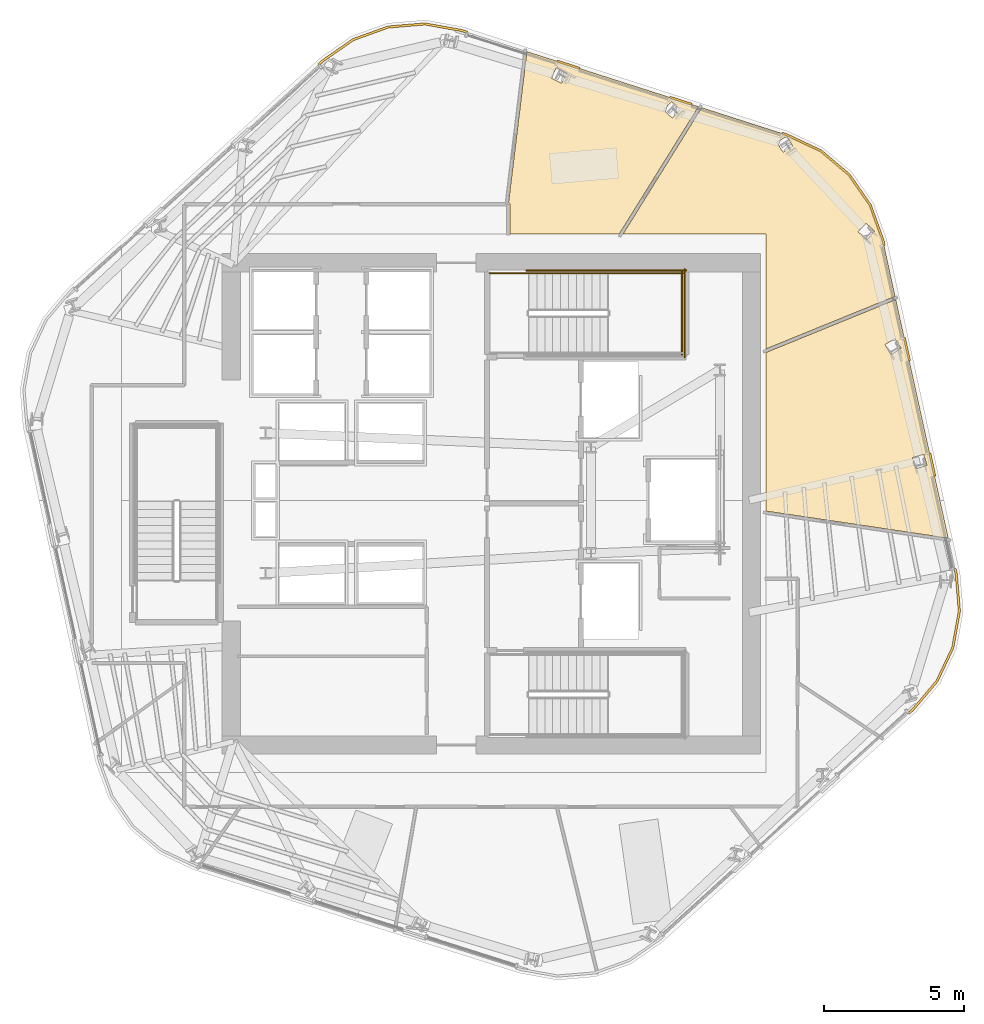
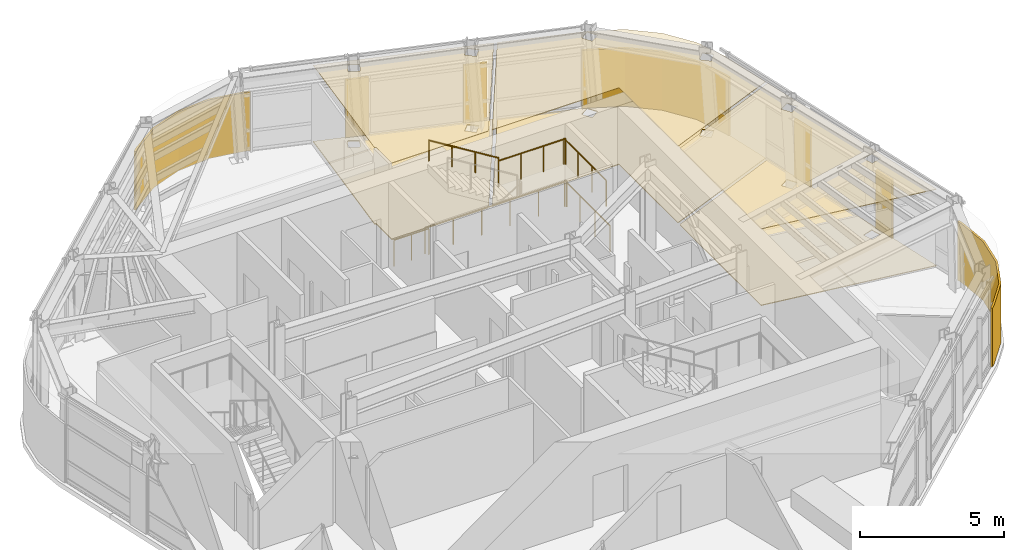
# One storey, part 14 of 15: 13 coverings, 6 railings.
"""IFC4 building model written with IfcOpenShell, lengths in metres."""

import ifcopenshell
import ifcopenshell.guid

model = None  # the IFC model being written
_history = None  # IfcOwnerHistory: only IFC2X3 demands one
_inside = {}  # id of a spatial element -> (the spatial element, [elements in it])
_under = {}  # id of a project, library or spatial element -> (it, [spatial elements below it])
_declared = {}  # id of a project -> (the project, [libraries it declares])
_typed = {}  # id of a type object -> (the type object, [elements of that type])
_made_of = {}  # id of a material, layer set ... -> (it, [elements and type objects made of it])


def new_model(schema):
    """Start an empty IFC model of exactly this schema.

    Asked for "IFC4X3", IfcOpenShell would pick the latest addendum, in which some entities
    have other attributes; the version numbers below select the first issue.
    IFC2X3 requires an IfcOwnerHistory on every rooted entity: one is made here for all.
    """
    global model, _history
    if schema == "IFC4X3":
        model = ifcopenshell.file(schema_version=(4, 3, 0, 0))
    else:
        model = ifcopenshell.file(schema=schema)
    _inside.clear()
    _under.clear()
    _declared.clear()
    _typed.clear()
    _made_of.clear()
    _history = None
    if model.schema == "IFC2X3":
        org = make("IfcOrganization", Name="unknown")
        user = make(
            "IfcPersonAndOrganization",
            ThePerson=make("IfcPerson", FamilyName="unknown"),
            TheOrganization=org,
        )
        app = make(
            "IfcApplication",
            ApplicationDeveloper=org,
            Version="unknown",
            ApplicationFullName="unknown",
            ApplicationIdentifier="unknown",
        )
        _history = make(
            "IfcOwnerHistory",
            OwningUser=user,
            OwningApplication=app,
            ChangeAction="ADDED",
            CreationDate=0,
        )
    return model


def make(cls, **values):
    """One entity of the class cls with the attributes given. An attribute that is None is left unset."""
    return model.create_entity(
        cls, **{name: value for name, value in values.items() if value is not None}
    )


def rooted(cls, **values):
    """An entity with a GlobalId (a new one), such as an element, a storey or a relation."""
    return make(cls, GlobalId=ifcopenshell.guid.new(), OwnerHistory=_history, **values)


def si_unit(unit_type, name, prefix=None):
    """IfcSIUnit, for example si_unit("LENGTHUNIT", "METRE", prefix="MILLI")."""
    return make("IfcSIUnit", UnitType=unit_type, Prefix=prefix, Name=name)


def assignment(units):
    """IfcUnitAssignment: the units of a project."""
    return None if units is None else make("IfcUnitAssignment", Units=units)


def point(xyz):
    """IfcCartesianPoint."""
    return None if xyz is None else make("IfcCartesianPoint", Coordinates=xyz)


def direction(xyz):
    """IfcDirection."""
    return None if xyz is None else make("IfcDirection", DirectionRatios=xyz)


def frame(location, z_axis=None, x_axis=None):
    """IfcAxis2Placement3D, a coordinate frame: its origin and axes. An axis left out is left unset."""
    return make(
        "IfcAxis2Placement3D",
        Location=point(location),
        Axis=direction(z_axis),
        RefDirection=direction(x_axis),
    )


def frame_2d(location, x_axis=None):
    """IfcAxis2Placement2D, a coordinate frame in the plane: its origin and x axis."""
    return make(
        "IfcAxis2Placement2D", Location=point(location), RefDirection=direction(x_axis)
    )


def origin():
    """The frame at (0, 0, 0) with its axes left unset."""
    return frame((0.0, 0.0, 0.0))


def origin_2d():
    """The frame at (0, 0) in the plane with its x axis left unset."""
    return frame_2d((0.0, 0.0))


def place(relative_to, where):
    """IfcLocalPlacement: puts the frame where relative to a parent placement (None: the world)."""
    return make(
        "IfcLocalPlacement", PlacementRelTo=relative_to, RelativePlacement=where
    )


def context(
    kind, dimensions, precision=None, world=None, true_north=None, identifier=None
):
    """IfcGeometricRepresentationContext, for example the 3D "Model" context."""
    return make(
        "IfcGeometricRepresentationContext",
        ContextIdentifier=identifier,
        ContextType=kind,
        CoordinateSpaceDimension=dimensions,
        Precision=precision,
        WorldCoordinateSystem=world,
        TrueNorth=true_north,
    )


def subcontext(parent, identifier, kind, view, scale=None):
    """IfcGeometricRepresentationSubContext, for example "Body" below "Model"."""
    return make(
        "IfcGeometricRepresentationSubContext",
        ContextIdentifier=identifier,
        ContextType=kind,
        ParentContext=parent,
        TargetScale=scale,
        TargetView=view,
    )


def project(units=None, contexts=None):
    """IfcProject with its units and contexts."""
    return rooted(
        "IfcProject",
        Name="project",
        RepresentationContexts=contexts,
        UnitsInContext=assignment(units),
    )


def spatial(cls, under=None, at=None, **own):
    """A site, building, storey or space (cls), placed at a placement, below another one or the project."""
    s = rooted(cls, ObjectPlacement=at, **own)
    if under is not None:
        _under.setdefault(under.id(), (under, []))[1].append(s)
    return s


def polyline(points):
    """IfcPolyline through the points."""
    return make("IfcPolyline", Points=[point(p) for p in points])


def profile(cls, at=None, kind="AREA", **sizes):
    """A parametric profile (cls). Its sizes go by their IFC names, for example OverallWidth=200.0."""
    return make(cls, ProfileType=kind, Position=at, **sizes)


def circle(**sizes):
    """IfcCircleProfileDef."""
    return profile("IfcCircleProfileDef", **sizes)


def outline(outer, holes=None, kind="AREA"):
    """IfcArbitraryClosedProfileDef: a profile drawn as a closed curve; with holes, ...WithVoids."""
    if holes is None:
        return make("IfcArbitraryClosedProfileDef", ProfileType=kind, OuterCurve=outer)
    return make(
        "IfcArbitraryProfileDefWithVoids",
        ProfileType=kind,
        OuterCurve=outer,
        InnerCurves=holes,
    )


def extrude(swept, where, along, depth):
    """IfcExtrudedAreaSolid: the profile swept, set in the frame where, extruded along a direction by depth."""
    return make(
        "IfcExtrudedAreaSolid",
        SweptArea=swept,
        Position=where,
        ExtrudedDirection=direction(along),
        Depth=depth,
    )


def shape(context_of_items, identifier, shape_type, items):
    """IfcShapeRepresentation: the items that make up one representation, for example the "Body"."""
    return make(
        "IfcShapeRepresentation",
        ContextOfItems=context_of_items,
        RepresentationIdentifier=identifier,
        RepresentationType=shape_type,
        Items=items,
    )


def material(Name=None, Category=None):
    """IfcMaterial."""
    return make("IfcMaterial", Name=Name, Category=Category)


def layer(
    of_material, thickness, ventilated=None, Name=None, Category=None, Priority=None
):
    """IfcMaterialLayer: one layer of a wall or slab, of a material (None: an air gap)."""
    return make(
        "IfcMaterialLayer",
        Material=of_material,
        LayerThickness=thickness,
        IsVentilated=ventilated,
        Name=Name,
        Category=Category,
        Priority=Priority,
    )


def layer_set(layers, Name=None):
    """IfcMaterialLayerSet."""
    return make("IfcMaterialLayerSet", MaterialLayers=layers, LayerSetName=Name)


def made_of(thing, what):
    """Note that an element or type object is made of a material, layer set ...; save() writes the relation."""
    if what is not None:
        _made_of.setdefault(what.id(), (what, []))[1].append(thing)
    return thing


def type_object(cls, material=None, **own):
    """A type object (cls), such as IfcWallType, which elements share."""
    return made_of(rooted(cls, **own), material)


def element(
    cls,
    number,
    at=None,
    inside=None,
    cuts=None,
    type_object=None,
    material=None,
    context=None,
    identifier="Body",
    shape_type=None,
    held_by="IfcProductDefinitionShape",
    body=None,
    shapes=None,
    **own,
):
    """One element of the class cls, such as IfcWall. Its Tag is "e" and its number.

    at: its placement. inside: the storey or other place that contains it. cuts: it is an
    opening in that element (IfcRelVoidsElement). A single representation is given by context,
    identifier, shape_type and body (its items); several are given by shapes. held_by: the class
    of the entity that holds the representations. save() writes the other relations.
    """
    e = rooted(cls, Tag="e%d" % number, ObjectPlacement=at, **own)
    if body is not None:
        shapes = [shape(context, identifier, shape_type, body)]
    if shapes is not None:
        e.Representation = make(held_by, Representations=shapes)
    if inside is not None:
        _inside.setdefault(inside.id(), (inside, []))[1].append(e)
    if cuts is not None:
        rooted(
            "IfcRelVoidsElement", RelatingBuildingElement=cuts, RelatedOpeningElement=e
        )
    if type_object is not None:
        _typed.setdefault(type_object.id(), (type_object, []))[1].append(e)
    return made_of(e, material)


def aggregate(whole, parts):
    """IfcRelAggregates: a whole, such as a stair, and the parts it consists of."""
    return rooted("IfcRelAggregates", RelatingObject=whole, RelatedObjects=parts)


def save(model, path):
    """Write the relations noted so far, then the file.

    IfcRelAggregates (storeys below a building ...), IfcRelContainedInSpatialStructure (elements
    in a storey), IfcRelDefinesByType, IfcRelAssociatesMaterial and IfcRelDeclares: one each for
    every whole, place, type object, material and project.
    """
    for whole, parts in _under.values():
        aggregate(whole, parts)
    for where, things in _inside.values():
        rooted(
            "IfcRelContainedInSpatialStructure",
            RelatedElements=things,
            RelatingStructure=where,
        )
    for kind, things in _typed.values():
        rooted("IfcRelDefinesByType", RelatedObjects=things, RelatingType=kind)
    for what, things in _made_of.values():
        rooted("IfcRelAssociatesMaterial", RelatedObjects=things, RelatingMaterial=what)
    for by, libraries in _declared.values():
        rooted("IfcRelDeclares", RelatingContext=by, RelatedDefinitions=libraries)
    model.write(path)


model = new_model("IFC4")

# Units and contexts
model_context = context("Model", 3, precision=1e-05, world=origin(), true_north=direction((0.0, 1.0)))
body_context = subcontext(model_context, "Body", "Model", "MODEL_VIEW")
ifc_project = project(units=[si_unit("LENGTHUNIT", "METRE"), si_unit("AREAUNIT", "SQUARE_METRE"), si_unit("VOLUMEUNIT", "CUBIC_METRE"), si_unit("PLANEANGLEUNIT", "RADIAN"), si_unit("MASSUNIT", "GRAM", prefix="KILO")], contexts=[model_context])

# Site, building, storey
site_placement = place(None, origin())
site = spatial("IfcSite", under=ifc_project, at=site_placement, CompositionType="ELEMENT")
building_placement = place(site_placement, origin())
building = spatial("IfcBuilding", under=site, at=building_placement, Name="Valkerne Bourse Tower", CompositionType="ELEMENT")
storey_placement = place(building_placement, frame((0.0, 0.0, 205.60009765625)))
storey = spatial("IfcBuildingStorey", under=building, at=storey_placement, Name="L52", CompositionType="ELEMENT", Elevation=205.60009765625)

# Coverings
ifc_material_1 = material(Name="Mineral Fiber Acoustic Ceiling Tile", Category="acoustic")
ifc_layer_1 = layer(ifc_material_1, 0.02490234375)
ifc_layer_set_1 = layer_set([ifc_layer_1], Name="Mineral Fiber Acoustic Ceiling Tile")
covering_type_1 = type_object("IfcCoveringType", Name="COV-CEIL-ACT", PredefinedType="CEILING", material=ifc_layer_set_1)
covering_1_placement = place(storey_placement, frame((0.0, 0.0, 3.25)))
element("IfcCovering", 1, at=covering_1_placement, inside=storey, type_object=covering_type_1, Name="L52 Suspended Ceiling 09", PredefinedType="CEILING", context=body_context, shape_type="SweptSolid", body=[
    extrude(outline(polyline([(47.468994140625, 37.5634765625), (47.45166015625, 37.606201171875), (47.4150390625, 37.626220703125), (48.067626953125, 43.006103515625), (54.18798828125, 41.04150390625), (51.3603515625, 36.5), (47.468994140625, 36.5), (47.468994140625, 37.5634765625)]), holes=[polyline([(53.22900390625, 41.218505859375), (53.226806640625, 41.21923828125), (52.947021484375, 40.917236328125), (53.25, 40.6357421875), (53.252197265625, 40.634765625), (53.531982421875, 40.93701171875), (53.22900390625, 41.218505859375)]), polyline([(49.48876953125, 42.242431640625), (49.12060546875, 42.430908203125), (49.118408203125, 42.43115234375), (48.93115234375, 42.064208984375), (49.299560546875, 41.8759765625), (49.3017578125, 41.87548828125), (49.48876953125, 42.242431640625)])]), origin(), (0.0, 0.0, 1.0), 0.02490234375),
])
covering_2_placement = place(storey_placement, frame((0.0, 0.0, 3.25)))
element("IfcCovering", 2, at=covering_2_placement, inside=storey, type_object=covering_type_1, Name="L52 Suspended Ceiling 10", PredefinedType="CEILING", context=body_context, shape_type="SweptSolid", body=[
    extrude(outline(polyline([(61.227294921875, 34.15966796875), (63.096923828125, 25.651611328125), (56.60009765625, 26.615966796875), (56.60009765625, 32.274169921875), (61.227294921875, 34.15966796875)]), holes=[polyline([(62.339599609375, 28.25244140625), (62.218017578125, 28.645263671875), (61.822265625, 28.523193359375), (61.822265625, 28.52099609375), (61.94384765625, 28.128173828125), (62.339599609375, 28.250244140625), (62.339599609375, 28.25244140625)]), polyline([(61.41357421875, 32.4306640625), (61.18994140625, 32.775634765625), (60.842041015625, 32.55029296875), (60.8427734375, 32.54833984375), (61.06640625, 32.203369140625), (61.414306640625, 32.428466796875), (61.41357421875, 32.4306640625)])]), origin(), (0.0, 0.0, 1.0), 0.02490234375),
])
covering_3_placement = place(storey_placement, frame((0.0, 0.0, 3.25)))
element("IfcCovering", 3, at=covering_3_placement, inside=storey, type_object=covering_type_1, Name="L52 Suspended Ceiling 11", PredefinedType="CEILING", context=body_context, shape_type="SweptSolid", body=[
    extrude(outline(polyline([(59.558837890625, 38.609619140625), (60.31201171875, 37.526123046875), (60.76220703125, 36.275390625), (61.201416015625, 34.276611328125), (56.60009765625, 32.401611328125), (56.60009765625, 36.5), (51.49951171875, 36.5), (54.303955078125, 41.00439453125), (57.348388671875, 40.02734375), (58.551025390625, 39.46142578125), (59.558837890625, 38.609619140625)]), holes=[polyline([(60.46630859375, 36.607666015625), (60.16259765625, 36.884521484375), (59.883056640625, 36.57861328125), (59.884521484375, 36.57666015625), (60.188232421875, 36.2998046875), (60.4677734375, 36.605712890625), (60.46630859375, 36.607666015625)]), polyline([(57.332763671875, 39.9853515625), (57.330810546875, 39.98681640625), (56.983642578125, 39.765380859375), (57.205322265625, 39.41650390625), (57.207275390625, 39.414794921875), (57.554443359375, 39.63623046875), (57.332763671875, 39.9853515625)])]), origin(), (0.0, 0.0, 1.0), 0.02490234375),
])
ifc_material_2 = material(Name="Bronze Anodised Aluminium AA 6063-T6", Category="aluminium")
ifc_layer_2 = layer(ifc_material_2, 0.06005859375)
ifc_layer_set_2 = layer_set([ifc_layer_2], Name="Bronze Anodised Aluminium AA 6063-T6")
covering_type_2 = type_object("IfcCoveringType", Name="COV-CRN-ALUM", PredefinedType="CLADDING", material=ifc_layer_set_2)
covering_4_placement = place(storey_placement, origin())
element("IfcCovering", 4, at=covering_4_placement, inside=storey, type_object=covering_type_2, Name="L52 Wind-Shaped Corner Aluminium Cladding 01", PredefinedType="CLADDING", context=body_context, shape_type="SweptSolid", body=[
    extrude(outline(polyline([(63.533935546875, 23.044921875), (63.298095703125, 21.73486328125), (62.7314453125, 20.5302734375), (61.867919921875, 19.508544921875), (61.71630859375, 19.370849609375), (61.662353515625, 19.43017578125), (61.810302734375, 19.564208984375), (62.66357421875, 20.573974609375), (63.22119140625, 21.75927734375), (63.453369140625, 23.048583984375), (63.3427734375, 24.36572265625), (63.2998046875, 24.56103515625), (63.3779296875, 24.577880859375), (63.422119140625, 24.377685546875), (63.533935546875, 23.044921875)])), origin(), (0.0, 0.0, 1.0), 2.5),
])
covering_5_placement = place(storey_placement, origin())
element("IfcCovering", 5, at=covering_5_placement, inside=storey, type_object=covering_type_2, Name="L52 Wind-Shaped Corner Aluminium Cladding 13", PredefinedType="CLADDING", context=body_context, shape_type="SweptSolid", body=[
    extrude(outline(polyline([(40.759765625, 42.706298828125), (41.8583984375, 43.469482421875), (43.11083984375, 43.92041015625), (44.437255859375, 44.03173828125), (45.75390625, 43.794921875), (45.948974609375, 43.732421875), (45.924560546875, 43.656005859375), (45.734375, 43.71728515625), (44.433349609375, 43.951171875), (43.1279296875, 43.841552734375), (41.895263671875, 43.39794921875), (40.809814453125, 42.6435546875), (40.662353515625, 42.5087890625), (40.6083984375, 42.568115234375), (40.759765625, 42.706298828125)])), origin(), (0.0, 0.0, 1.0), 2.5),
])
covering_6_placement = place(storey_placement, origin())
element("IfcCovering", 6, at=covering_6_placement, inside=storey, type_object=covering_type_2, Name="L52 Wind-Shaped Corner Aluminium Cladding 14", PredefinedType="CLADDING", context=body_context, shape_type="SweptSolid", body=[
    extrude(outline(polyline([(49.95947265625, 42.445068359375), (49.93505859375, 42.368896484375), (49.13525390625, 42.62548828125), (49.159423828125, 42.701904296875), (49.95947265625, 42.445068359375)])), origin(), (0.0, 0.0, 1.0), 2.5),
])
covering_7_placement = place(storey_placement, origin())
element("IfcCovering", 7, at=covering_7_placement, inside=storey, type_object=covering_type_2, Name="L52 Wind-Shaped Corner Aluminium Cladding 15", PredefinedType="CLADDING", context=body_context, shape_type="SweptSolid", body=[
    extrude(outline(polyline([(53.969970703125, 41.157958984375), (53.945556640625, 41.081787109375), (53.145751953125, 41.33837890625), (53.170166015625, 41.41455078125), (53.969970703125, 41.157958984375)])), origin(), (0.0, 0.0, 1.0), 2.5),
])
covering_8_placement = place(storey_placement, origin())
element("IfcCovering", 8, at=covering_8_placement, inside=storey, type_object=covering_type_2, Name="L52 Wind-Shaped Corner Aluminium Cladding 16", PredefinedType="CLADDING", context=body_context, shape_type="SweptSolid", body=[
    extrude(outline(polyline([(57.364501953125, 40.068359375), (58.574951171875, 39.498779296875), (59.591796875, 38.639404296875), (60.351318359375, 37.54638671875), (60.8046875, 36.28759765625), (60.84619140625, 36.09912109375), (60.767822265625, 36.08203125), (60.7275390625, 36.265380859375), (60.27978515625, 37.509521484375), (59.531982421875, 38.585205078125), (58.531494140625, 39.430908203125), (57.335205078125, 39.993896484375), (57.15625, 40.05126953125), (57.1806640625, 40.12744140625), (57.364501953125, 40.068359375)])), origin(), (0.0, 0.0, 1.0), 2.5),
])
covering_9_placement = place(storey_placement, origin())
element("IfcCovering", 9, at=covering_9_placement, inside=storey, type_object=covering_type_2, Name="L52 Wind-Shaped Corner Aluminium Cladding 17", PredefinedType="CLADDING", context=body_context, shape_type="SweptSolid", body=[
    extrude(outline(polyline([(61.75, 31.9853515625), (61.672119140625, 31.96826171875), (61.49169921875, 32.788818359375), (61.56982421875, 32.805908203125), (61.75, 31.9853515625)])), origin(), (0.0, 0.0, 1.0), 2.5),
])
covering_10_placement = place(storey_placement, origin())
element("IfcCovering", 10, at=covering_10_placement, inside=storey, type_object=covering_type_2, Name="L52 Wind-Shaped Corner Aluminium Cladding 18", PredefinedType="CLADDING", context=body_context, shape_type="SweptSolid", body=[
    extrude(outline(polyline([(62.654296875, 27.871337890625), (62.576171875, 27.8544921875), (62.395751953125, 28.6748046875), (62.473876953125, 28.69189453125), (62.654296875, 27.871337890625)])), origin(), (0.0, 0.0, 1.0), 2.5),
])
ifc_material_3 = material(Name="Galvanised Painted Steel", Category="steel")
ifc_layer_3 = layer(ifc_material_3, 0.044921875)
ifc_layer_set_3 = layer_set([ifc_layer_3], Name="Galvanised Painted Steel")
covering_type_3 = type_object("IfcCoveringType", Name="COV-FLR-RAF", PredefinedType="FLOORING", material=ifc_layer_set_3)
covering_11_placement = place(storey_placement, origin())
element("IfcCovering", 11, at=covering_11_placement, inside=storey, type_object=covering_type_3, Name="L52 Floor Finish 09", PredefinedType="FLOORING", context=body_context, shape_type="SweptSolid", body=[
    extrude(outline(polyline([(47.468994140625, 37.5634765625), (47.45166015625, 37.606201171875), (47.4150390625, 37.626220703125), (48.067626953125, 43.006103515625), (54.18798828125, 41.04150390625), (51.3603515625, 36.5), (47.468994140625, 36.5), (47.468994140625, 37.5634765625)]), holes=[polyline([(53.22900390625, 41.218505859375), (53.226806640625, 41.21923828125), (52.947021484375, 40.917236328125), (53.25, 40.6357421875), (53.252197265625, 40.634765625), (53.531982421875, 40.93701171875), (53.22900390625, 41.218505859375)]), polyline([(49.48876953125, 42.242431640625), (49.12060546875, 42.430908203125), (49.118408203125, 42.43115234375), (48.93115234375, 42.064208984375), (49.299560546875, 41.8759765625), (49.3017578125, 41.87548828125), (49.48876953125, 42.242431640625)])]), origin(), (0.0, 0.0, 1.0), 0.044921875),
])
ifc_material_4 = material(Name="Polished Granite Stone", Category="masonry")
ifc_layer_4 = layer(ifc_material_4, 0.030029296875)
ifc_layer_set_4 = layer_set([ifc_layer_4], Name="Polished Granite Stone")
covering_type_4 = type_object("IfcCoveringType", Name="COV-FLR-TERRAZZO", PredefinedType="FLOORING", material=ifc_layer_set_4)
covering_12_placement = place(storey_placement, origin())
element("IfcCovering", 12, at=covering_12_placement, inside=storey, type_object=covering_type_4, Name="L52 Floor Finish 10", PredefinedType="FLOORING", context=body_context, shape_type="SweptSolid", body=[
    extrude(outline(polyline([(61.227294921875, 34.15966796875), (63.096923828125, 25.651611328125), (56.60009765625, 26.615966796875), (56.60009765625, 32.274169921875), (61.227294921875, 34.15966796875)]), holes=[polyline([(62.339599609375, 28.25244140625), (62.218017578125, 28.645263671875), (61.822265625, 28.523193359375), (61.822265625, 28.52099609375), (61.94384765625, 28.128173828125), (62.339599609375, 28.250244140625), (62.339599609375, 28.25244140625)]), polyline([(61.41357421875, 32.4306640625), (61.18994140625, 32.775634765625), (60.842041015625, 32.55029296875), (60.8427734375, 32.54833984375), (61.06640625, 32.203369140625), (61.414306640625, 32.428466796875), (61.41357421875, 32.4306640625)])]), origin(), (0.0, 0.0, 1.0), 0.02978515625),
])
covering_13_placement = place(storey_placement, origin())
element("IfcCovering", 13, at=covering_13_placement, inside=storey, type_object=covering_type_4, Name="L52 Floor Finish 11", PredefinedType="FLOORING", context=body_context, shape_type="SweptSolid", body=[
    extrude(outline(polyline([(59.558837890625, 38.609619140625), (60.31201171875, 37.526123046875), (60.76220703125, 36.275390625), (61.201416015625, 34.276611328125), (56.60009765625, 32.401611328125), (56.60009765625, 36.5), (51.49951171875, 36.5), (54.303955078125, 41.00439453125), (57.348388671875, 40.02734375), (58.551025390625, 39.46142578125), (59.558837890625, 38.609619140625)]), holes=[polyline([(60.46630859375, 36.607666015625), (60.16259765625, 36.884521484375), (59.883056640625, 36.57861328125), (59.884521484375, 36.57666015625), (60.188232421875, 36.2998046875), (60.4677734375, 36.605712890625), (60.46630859375, 36.607666015625)]), polyline([(57.332763671875, 39.9853515625), (57.330810546875, 39.98681640625), (56.983642578125, 39.765380859375), (57.205322265625, 39.41650390625), (57.207275390625, 39.414794921875), (57.554443359375, 39.63623046875), (57.332763671875, 39.9853515625)])]), origin(), (0.0, 0.0, 1.0), 0.02978515625),
])

# Railings
railing_type_1 = type_object("IfcRailingType", Name="RLG-ST-GUARD-1120", PredefinedType="GUARDRAIL", material=ifc_material_3)
railing_1_placement = place(storey_placement, frame((50.949951171875, 35.10009765625, 1.89990234375)))
element("IfcRailing", 14, at=railing_1_placement, inside=storey, type_object=railing_type_1, Name="L52 ST-2 stair guard 4", PredefinedType="GUARDRAIL", context=body_context, shape_type="SweptSolid", body=[
    extrude(circle(Radius=0.02392578125, at=origin_2d()), frame((0.0, 0.0, 1.09619140625), z_axis=(1.0, 0.0, 0.0), x_axis=(0.0, 1.0, 0.0)), (0.0, 0.0, 1.0), 2.699951171875),
    extrude(circle(Radius=0.02099609375, at=origin_2d()), origin(), (0.0, 0.0, 1.0), 1.072021484375),
    extrude(circle(Radius=0.02099609375, at=origin_2d()), frame((0.89990234375, 0.0, 0.0)), (0.0, 0.0, 1.0), 1.072021484375),
    extrude(circle(Radius=0.02099609375, at=origin_2d()), frame((1.800048828125, 0.0, 0.0)), (0.0, 0.0, 1.0), 1.072021484375),
    extrude(circle(Radius=0.02099609375, at=origin_2d()), frame((2.699951171875, 0.0, 0.0)), (0.0, 0.0, 1.0), 1.072021484375),
])
railing_2_placement = place(storey_placement, frame((53.60009765625, 32.199951171875, 1.89990234375)))
element("IfcRailing", 15, at=railing_2_placement, inside=storey, type_object=railing_type_1, Name="L52 ST-2 stair guard 5", PredefinedType="GUARDRAIL", context=body_context, shape_type="SweptSolid", body=[
    extrude(circle(Radius=0.02392578125, at=origin_2d()), frame((0.0, 0.0, 1.09619140625), z_axis=(0.0, 1.0, 0.0), x_axis=(-1.0, 0.0, 0.0)), (0.0, 0.0, 1.0), 2.949951171875),
    extrude(circle(Radius=0.02099609375, at=origin_2d()), origin(), (0.0, 0.0, 1.0), 1.072021484375),
    extrude(circle(Radius=0.02099609375, at=origin_2d()), frame((0.0, 0.9833984375, 0.0)), (0.0, 0.0, 1.0), 1.072021484375),
    extrude(circle(Radius=0.02099609375, at=origin_2d()), frame((0.0, 1.966552734375, 0.0)), (0.0, 0.0, 1.0), 1.072021484375),
    extrude(circle(Radius=0.02099609375, at=origin_2d()), frame((0.0, 2.949951171875, 0.0)), (0.0, 0.0, 1.0), 1.072021484375),
])
railing_3_placement = place(storey_placement, frame((46.75, 35.10009765625, 0.0)))
element("IfcRailing", 16, at=railing_3_placement, inside=storey, type_object=railing_type_1, Name="L52 ST-2 stair guard 9", PredefinedType="GUARDRAIL", context=body_context, shape_type="SweptSolid", body=[
    extrude(circle(Radius=0.02392578125, at=origin_2d()), frame((0.0, 0.0, 1.09619140625), z_axis=(1.0, 0.0, 0.0), x_axis=(0.0, 1.0, 0.0)), (0.0, 0.0, 1.0), 1.39990234375),
    extrude(circle(Radius=0.02099609375, at=origin_2d()), origin(), (0.0, 0.0, 1.0), 1.072021484375),
    extrude(circle(Radius=0.02099609375, at=origin_2d()), frame((0.699951171875, 0.0, 0.0)), (0.0, 0.0, 1.0), 1.072021484375),
    extrude(circle(Radius=0.02099609375, at=origin_2d()), frame((1.39990234375, 0.0, 0.0)), (0.0, 0.0, 1.0), 1.072021484375),
])
railing_4_placement = place(storey_placement, frame((48.050048828125, 35.199951171875, 0.0)))
element("IfcRailing", 17, at=railing_4_placement, inside=storey, type_object=railing_type_1, Name="L52 ST-2 stair guard 11", PredefinedType="GUARDRAIL", context=body_context, shape_type="SweptSolid", body=[
    extrude(circle(Radius=0.02392578125, at=origin_2d()), frame((0.0, 0.0, 1.09619140625), z_axis=(1.0, 0.0, 0.0), x_axis=(0.0, 1.0, 0.0)), (0.0, 0.0, 1.0), 5.699951171875),
    extrude(circle(Radius=0.02099609375, at=origin_2d()), origin(), (0.0, 0.0, 1.0), 1.072021484375),
    extrude(circle(Radius=0.02099609375, at=origin_2d()), frame((1.139892578125, 0.0, 0.0)), (0.0, 0.0, 1.0), 1.072021484375),
    extrude(circle(Radius=0.02099609375, at=origin_2d()), frame((2.280029296875, 0.0, 0.0)), (0.0, 0.0, 1.0), 1.072021484375),
    extrude(circle(Radius=0.02099609375, at=origin_2d()), frame((3.419921875, 0.0, 0.0)), (0.0, 0.0, 1.0), 1.072021484375),
    extrude(circle(Radius=0.02099609375, at=origin_2d()), frame((4.56005859375, 0.0, 0.0)), (0.0, 0.0, 1.0), 1.072021484375),
    extrude(circle(Radius=0.02099609375, at=origin_2d()), frame((5.699951171875, 0.0, 0.0)), (0.0, 0.0, 1.0), 1.072021484375),
])
railing_5_placement = place(storey_placement, frame((53.699951171875, 32.10009765625, 0.0)))
element("IfcRailing", 18, at=railing_5_placement, inside=storey, type_object=railing_type_1, Name="L52 ST-2 stair guard 12", PredefinedType="GUARDRAIL", context=body_context, shape_type="SweptSolid", body=[
    extrude(circle(Radius=0.02392578125, at=origin_2d()), frame((0.0, 0.0, 1.09619140625), z_axis=(0.0, 1.0, 0.0), x_axis=(-1.0, 0.0, 0.0)), (0.0, 0.0, 1.0), 3.14990234375),
    extrude(circle(Radius=0.02099609375, at=origin_2d()), origin(), (0.0, 0.0, 1.0), 1.072021484375),
    extrude(circle(Radius=0.02099609375, at=origin_2d()), frame((0.0, 1.050048828125, 0.0)), (0.0, 0.0, 1.0), 1.072021484375),
    extrude(circle(Radius=0.02099609375, at=origin_2d()), frame((0.0, 2.099853515625, 0.0)), (0.0, 0.0, 1.0), 1.072021484375),
    extrude(circle(Radius=0.02099609375, at=origin_2d()), frame((0.0, 3.14990234375, 0.0)), (0.0, 0.0, 1.0), 1.072021484375),
])
ifc_material_5 = material(Name="Stainless Steel AISI 316", Category="steel")
railing_type_2 = type_object("IfcRailingType", Name="RLG-ST-HANDRAIL-900", PredefinedType="HANDRAIL", material=ifc_material_5)
railing_6_placement = place(storey_placement, frame((50.949951171875, 35.10009765625, 2.245361328125)))
element("IfcRailing", 19, at=railing_6_placement, inside=storey, type_object=railing_type_2, Name="L52 ST-2 stair handrail 2", PredefinedType="HANDRAIL", context=body_context, shape_type="SweptSolid", body=[
    extrude(circle(Radius=0.02392578125, at=origin_2d()), frame((0.0, 0.0, 0.8759765625), z_axis=(-0.851089632645, 0.0, 0.525020415988), x_axis=(0.0, -1.0, 0.0)), (0.0, 0.0, 1.0), 3.2900390625),
    extrude(circle(Radius=0.02099609375, at=origin_2d()), origin(), (0.0, 0.0, 1.0), 0.851806640625),
    extrude(circle(Radius=0.02099609375, at=origin_2d()), frame((-0.933349609375, 0.0, 0.57568359375)), (0.0, 0.0, 1.0), 0.851806640625),
    extrude(circle(Radius=0.02099609375, at=origin_2d()), frame((-1.86669921875, 0.0, 1.151611328125)), (0.0, 0.0, 1.0), 0.851806640625),
    extrude(circle(Radius=0.02099609375, at=origin_2d()), frame((-2.800048828125, 0.0, 1.727294921875)), (0.0, 0.0, 1.0), 0.851806640625),
])

save(model, "model.ifc")
